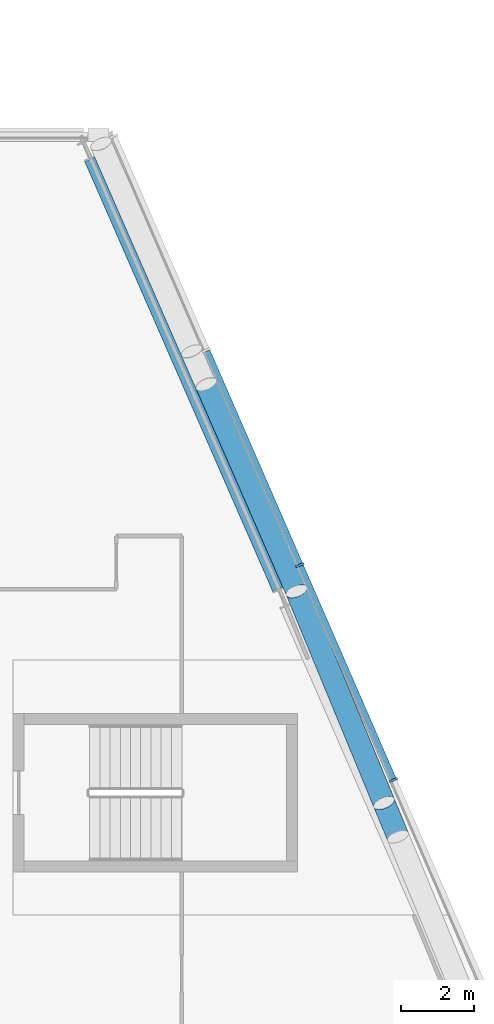
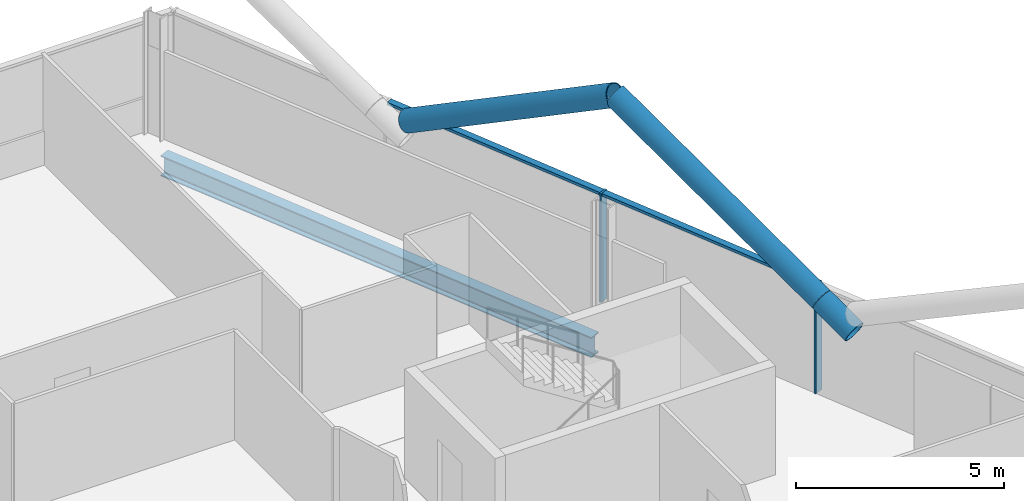
# One storey, part 9 of 28: 7 members, 1 beam, 1 element without a shape of its own.
"""IFC4 building model written with IfcOpenShell, lengths in metres."""

from ifc_helpers import new_model, si_unit, direction, frame, origin, origin_2d, place, context, subcontext, project, spatial, rectangle, hollow_circle, i_section, extrude, material, material_profile, profile_set, type_object, element, aggregate, save


model = new_model("IFC4")

# Units and contexts
model_context = context("Model", 3, precision=1e-05, world=origin(), true_north=direction((0.0, 1.0)))
body_context = subcontext(model_context, "Body", "Model", "MODEL_VIEW")
ifc_project = project(units=[si_unit("LENGTHUNIT", "METRE"), si_unit("AREAUNIT", "SQUARE_METRE"), si_unit("VOLUMEUNIT", "CUBIC_METRE"), si_unit("PLANEANGLEUNIT", "RADIAN"), si_unit("MASSUNIT", "GRAM", prefix="KILO")], contexts=[model_context])

# Site, building, storey
site_placement = place(None, origin())
site = spatial("IfcSite", under=ifc_project, at=site_placement, CompositionType="ELEMENT")
building_placement = place(site_placement, origin())
building = spatial("IfcBuilding", under=site, at=building_placement, Name="Wharfspan Tower", CompositionType="ELEMENT")
storey_placement = place(building_placement, frame((0.0, 0.0, 253.899902)))
storey = spatial("IfcBuildingStorey", under=building, at=storey_placement, Name="L64", CompositionType="ELEMENT", Elevation=253.899902)

# Member
ifc_material_1 = material(Name="Steel S460NH", Category="steel")
ifc_material_profile_1 = material_profile(ifc_material_1, hollow_circle(Radius=0.304932, WallThickness=0.024902, at=origin_2d()))
ifc_profile_set_1 = profile_set([ifc_material_profile_1], Name="Steel S460NH")
member_type_1 = type_object("IfcMemberType", Name="Brace node tie CHS 610x25", PredefinedType="STRUT", material=ifc_profile_set_1)
member_1_placement = place(storey_placement, frame((77.428711, 22.752441, 2.637451), z_axis=(-0.337127, 0.81634, 0.468971), x_axis=(-0.924287, -0.381708, 3e-06)))
element("IfcMember", 1, at=member_1_placement, inside=storey, type_object=member_type_1, Name="Brace node tie L64 E5", PredefinedType="STRUT", context=body_context, shape_type="SweptSolid", body=[
    extrude(hollow_circle(Radius=0.304932, WallThickness=0.024902, at=origin_2d()), origin(), (0.0, 0.0, 1.0), 1.120361),
])

# Beam
ifc_material_2 = material(Name="Steel S355J2", Category="steel")
ifc_material_profile_2 = material_profile(ifc_material_2, i_section(OverallWidth=0.300049, OverallDepth=0.600098, WebThickness=0.015381, FlangeThickness=0.030029, FilletRadius=0.0271, at=origin_2d()))
ifc_profile_set_2 = profile_set([ifc_material_profile_2], Name="Steel S355J2")
beam_type = type_object("IfcBeamType", Name="Edge beam HEB 600", PredefinedType="SPANDREL", material=ifc_profile_set_2)
beam_placement = place(storey_placement, frame((74.13208, 29.53125, -0.699951), z_axis=(-0.400619, 0.916245, 0.0), x_axis=(-0.916245, -0.400619, 0.0)))
element("IfcBeam", 2, at=beam_placement, inside=storey, type_object=beam_type, Name="Edge beam E L64 PE.2 to PE.3", PredefinedType="SPANDREL", context=body_context, shape_type="SweptSolid", body=[
    extrude(i_section(OverallWidth=0.300049, OverallDepth=0.600098, WebThickness=0.015381, FlangeThickness=0.030029, FilletRadius=0.0271, at=origin_2d()), origin(), (0.0, 0.0, 1.0), 12.883545),
])

# Curtain wall, members
ifc_material_3 = material(Name="Aluminium 6063-T6", Category="aluminium")
curtain_wall_type = type_object("IfcCurtainWallType", Name="CURTAIN WALL PROW AND END", PredefinedType="NOTDEFINED", material=ifc_material_3)
curtain_wall_placement = place(storey_placement, origin())
curtain_wall = element("IfcCurtainWall", 3, at=curtain_wall_placement, inside=storey, type_object=curtain_wall_type, Name="Curtain wall E", PredefinedType="NOTDEFINED")
ifc_material_profile_3 = material_profile(ifc_material_3, rectangle(XDim=0.23999, YDim=0.060059, at=origin_2d()))
ifc_profile_set_3 = profile_set([ifc_material_profile_3], Name="Aluminium 6063-T6")
member_type_2 = type_object("IfcMemberType", Name="MULLION PROW AND END 60x240", PredefinedType="MULLION", material=ifc_profile_set_3)
member_2_placement = place(storey_placement, frame((77.304443, 24.300049, 0.0), z_axis=(0.0, 0.0, 1.0), x_axis=(-0.917072, -0.398727, 0.0)))
member_2 = element("IfcMember", 4, at=member_2_placement, type_object=member_type_2, Name="Curtain wall E mullion 4", PredefinedType="MULLION", context=body_context, shape_type="SweptSolid", body=[
    extrude(rectangle(XDim=0.23999, YDim=0.060059, at=origin_2d()), origin(), (0.0, 0.0, 1.0), 3.200195),
])
member_3_placement = place(storey_placement, frame((74.739014, 30.199951, 0.0), z_axis=(0.0, 0.0, 1.0), x_axis=(-0.917072, -0.398727, 0.0)))
member_3 = element("IfcMember", 5, at=member_3_placement, type_object=member_type_2, Name="Curtain wall E mullion 5", PredefinedType="MULLION", context=body_context, shape_type="SweptSolid", body=[
    extrude(rectangle(XDim=0.23999, YDim=0.060059, at=origin_2d()), origin(), (0.0, 0.0, 1.0), 3.200195),
])

# Members
ifc_material_profile_4 = material_profile(ifc_material_1, hollow_circle(Radius=0.304932, WallThickness=0.024902, at=origin_2d()))
ifc_profile_set_4 = profile_set([ifc_material_profile_4], Name="Steel S460NH")
member_type_3 = type_object("IfcMemberType", Name="Mega brace CHS 610x25", PredefinedType="BRACE", material=ifc_profile_set_4)
member_4_placement = place(storey_placement, frame((77.047607, 23.675049, 3.16748), z_axis=(-0.337038, 0.81638, 0.468967), x_axis=(-0.924329, -0.381603, -2e-06)))
element("IfcMember", 6, at=member_4_placement, inside=storey, type_object=member_type_3, Name="Mega brace E5 L64 part 2", PredefinedType="BRACE", context=body_context, shape_type="SweptSolid", body=[
    extrude(hollow_circle(Radius=0.304932, WallThickness=0.024902, at=origin_2d()), origin(), (0.0, 0.0, 1.0), 7.106201),
])
member_5_placement = place(storey_placement, frame((72.16748, 35.160156, 3.166748), z_axis=(0.352889, -0.807113, 0.473327), x_axis=(0.916248, 0.400606, 1e-06)))
element("IfcMember", 7, at=member_5_placement, inside=storey, type_object=member_type_3, Name="Mega brace E6 L64 part 4", PredefinedType="BRACE", context=body_context, shape_type="SweptSolid", body=[
    extrude(hollow_circle(Radius=0.304932, WallThickness=0.024902, at=origin_2d()), origin(), (0.0, 0.0, 1.0), 7.042236),
])

# Member
ifc_material_profile_5 = material_profile(ifc_material_3, rectangle(XDim=0.179932, YDim=0.080078, at=origin_2d()))
ifc_profile_set_5 = profile_set([ifc_material_profile_5], Name="Aluminium 6063-T6")
member_type_4 = type_object("IfcMemberType", Name="TRANSOM PROW AND END 80x180", PredefinedType="USERDEFINED", material=ifc_profile_set_5)
member_6_placement = place(storey_placement, frame((77.29248, 24.327393, 3.160156), z_axis=(-0.39874, 0.917064, 0.0), x_axis=(-0.917064, -0.39874, 0.0)))
member_6 = element("IfcMember", 8, at=member_6_placement, type_object=member_type_4, Name="Curtain wall E transom 4", ObjectType="TRANSOM", PredefinedType="USERDEFINED", context=body_context, shape_type="SweptSolid", body=[
    extrude(rectangle(XDim=0.179932, YDim=0.080078, at=origin_2d()), origin(), (0.0, 0.0, 1.0), 6.373779),
])

member_7_placement = place(storey_placement, frame((74.727051, 30.227539, 3.160156), z_axis=(-0.398722, 0.917072, 0.0), x_axis=(-0.917072, -0.398722, 0.0)))
member_7 = element("IfcMember", 9, at=member_7_placement, type_object=member_type_4, Name="Curtain wall E transom 5", ObjectType="TRANSOM", PredefinedType="USERDEFINED", context=body_context, shape_type="SweptSolid", body=[
    extrude(rectangle(XDim=0.179932, YDim=0.080078, at=origin_2d()), origin(), (0.0, 0.0, 1.0), 6.373535),
])

aggregate(curtain_wall, [member_2, member_3, member_6, member_7])

save(model, "model.ifc")
